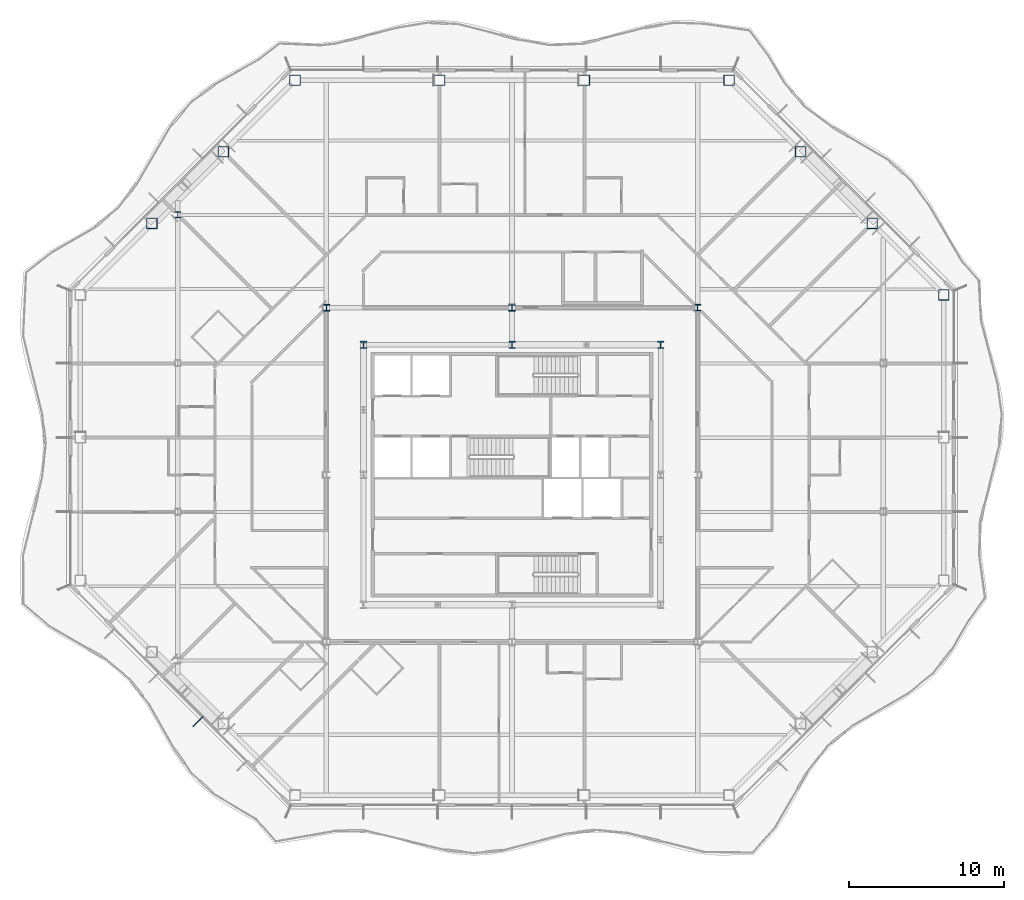
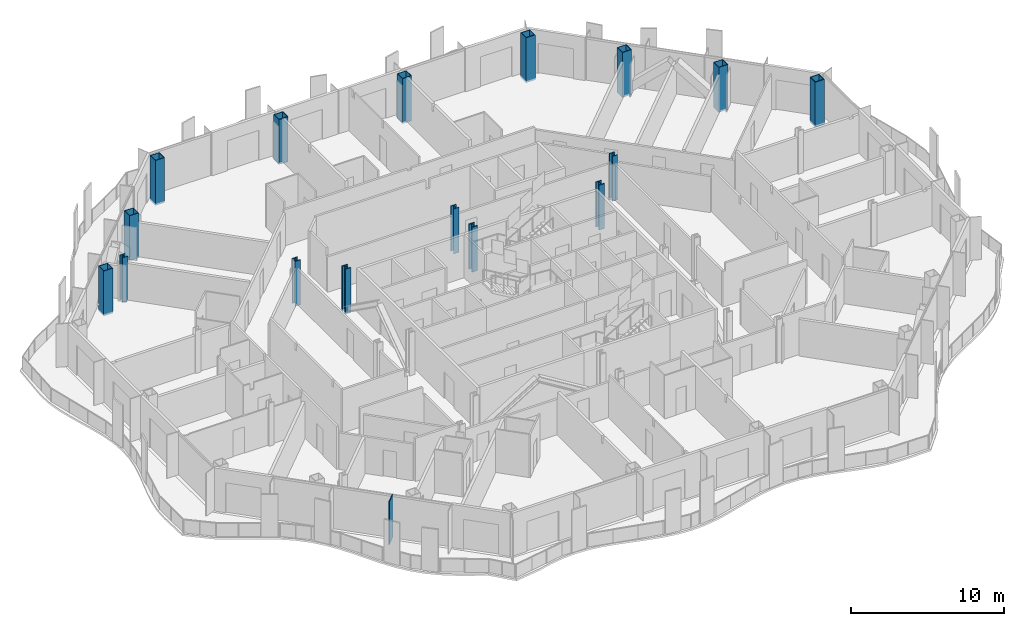
# One storey, part 2 of 22: 16 columns, 1 member, 1 element without a shape of its own.
"""IFC4 building model written with IfcOpenShell, lengths in metres."""

from ifc_helpers import new_model, si_unit, direction, frame, origin, origin_2d, place, context, subcontext, project, spatial, rectangle, hollow_rectangle, i_section, extrude, material, material_profile, profile_set, type_object, element, aggregate, save


model = new_model("IFC4")

# Units and contexts
model_context = context("Model", 3, precision=1e-05, world=origin(), true_north=direction((0.0, 1.0)))
body_context = subcontext(model_context, "Body", "Model", "MODEL_VIEW")
ifc_project = project(units=[si_unit("LENGTHUNIT", "METRE"), si_unit("AREAUNIT", "SQUARE_METRE"), si_unit("VOLUMEUNIT", "CUBIC_METRE"), si_unit("PLANEANGLEUNIT", "RADIAN"), si_unit("MASSUNIT", "GRAM", prefix="KILO")], contexts=[model_context])

# Site, building, storey
site_placement = place(None, origin())
site = spatial("IfcSite", under=ifc_project, at=site_placement, CompositionType="ELEMENT")
building_placement = place(site_placement, origin())
building = spatial("IfcBuilding", under=site, at=building_placement, Name="Cairn Pilgrim Tower", CompositionType="ELEMENT")
storey_placement = place(building_placement, frame((0.0, 0.0, 147.0)))
storey = spatial("IfcBuildingStorey", under=building, at=storey_placement, Name="L36", CompositionType="ELEMENT", Elevation=147.0)

# Columns
ifc_material_1 = material(Name="Structural steel S460M", Category="steel")
ifc_material_profile_1 = material_profile(ifc_material_1, hollow_rectangle(XDim=0.699951171875, YDim=0.699951171875, WallThickness=0.0400390625, at=origin_2d()), Name="BOX 700x700x40")
ifc_profile_set_1 = profile_set([ifc_material_profile_1], Name="Structural steel S460M")
column_type_1 = type_object("IfcColumnType", Name="BOX 700x700x40", PredefinedType="COLUMN", material=ifc_profile_set_1)
for number, where, z_axis, x_axis, name in (
    (1, (35.10009765625, 14.027099609375, -0.14990234375), (0.0, 0.0, 1.0), (1.0, 0.0, 0.0), "PC2-NE1"),
    (2, (30.4755859375, 18.651611328125, -0.14990234375), (0.0, 0.0, 1.0), (1.0, 0.0, 0.0), "PC2-NE2"),
    (3, (25.8515625, 23.275634765625, -0.14990234375), (0.0, 0.0, 1.0), (1.0, 0.0, 0.0), "PC2-NE3"),
    (4, (21.227294921875, 27.89990234375, -0.14990234375), (0.0, 0.0, 1.0), (1.0, 0.0, 0.0), "PC2-N1"),
    (5, (11.875732421875, 27.89990234375, -0.14990234375), (0.0, 0.0, 1.0), (1.0, 0.0, 0.0), "PC2-N2"),
    (6, (2.5244140625, 27.89990234375, -0.14990234375), (0.0, 0.0, 1.0), (1.0, 0.0, 0.0), "PC2-N3"),
    (7, (-6.8271484375, 27.89990234375, -0.14990234375), (0.0, 0.0, 1.0), (1.0, 0.0, 0.0), "PC2-NW1"),
    (8, (-11.451416015625, 23.275634765625, -0.14990234375), (0.0, 0.0, 1.0), (1.0, 0.0, 0.0), "PC2-NW2"),
    (9, (-16.07568359375, 18.651611328125, -0.14990234375), (0.0, 0.0, 1.0), (1.0, 0.0, 0.0), "PC2-NW3"),
):
    element("IfcColumn", number, at=place(storey_placement, frame(where, z_axis=z_axis, x_axis=x_axis)), inside=storey, type_object=column_type_1, Name=name, PredefinedType="COLUMN", context=body_context, shape_type="SweptSolid", body=[
        extrude(hollow_rectangle(XDim=0.699951171875, YDim=0.699951171875, WallThickness=0.0400390625, at=origin_2d()), origin(), (0.0, 0.0, 1.0), 3.599853515625),
    ])
ifc_material_2 = material(Name="Structural steel S355J2", Category="steel")
ifc_material_profile_2 = material_profile(ifc_material_2, i_section(OverallWidth=0.39892578125, OverallDepth=0.39306640625, WebThickness=0.022705078125, FlangeThickness=0.03662109375, FilletRadius=0.014892578125, at=origin_2d()), Name="HD 400x287")
ifc_profile_set_2 = profile_set([ifc_material_profile_2], Name="Structural steel S355J2")
column_type_2 = type_object("IfcColumnType", Name="HD 400x287", PredefinedType="COLUMN", material=ifc_profile_set_2)
column_placement = place(storey_placement, frame((-14.39990234375, 19.199951171875, -0.14990234375), z_axis=(0.0, 0.0, 1.0), x_axis=(1.0, 0.0, 0.0)))
element("IfcColumn", 10, at=column_placement, inside=storey, type_object=column_type_2, Name="WC-WW+4", PredefinedType="COLUMN", context=body_context, shape_type="SweptSolid", body=[
    extrude(i_section(OverallWidth=0.39892578125, OverallDepth=0.39306640625, WebThickness=0.022705078125, FlangeThickness=0.03662109375, FilletRadius=0.014892578125, at=origin_2d()), origin(), (0.0, 0.0, 1.0), 3.599853515625),
])
ifc_material_profile_3 = material_profile(ifc_material_1, i_section(OverallWidth=0.408935546875, OverallDepth=0.425048828125, WebThickness=0.03271484375, FlangeThickness=0.052490234375, FilletRadius=0.014892578125, at=origin_2d()), Name="HD 400x421")
ifc_profile_set_3 = profile_set([ifc_material_profile_3], Name="Structural steel S460M")
column_type_3 = type_object("IfcColumnType", Name="HD 400x421", PredefinedType="COLUMN", material=ifc_profile_set_3)
for number, where, z_axis, x_axis, name in (
    (11, (-4.800048828125, 13.199951171875, -0.14990234375), (0.0, 0.0, 1.0), (1.0, 0.0, 0.0), "IC-6"),
    (12, (7.199951171875, 13.199951171875, -0.14990234375), (0.0, 0.0, 1.0), (1.0, 0.0, 0.0), "IC-7"),
    (13, (19.199951171875, 13.199951171875, -0.14990234375), (0.0, 0.0, 1.0), (1.0, 0.0, 0.0), "IC-8"),
):
    element("IfcColumn", number, at=place(storey_placement, frame(where, z_axis=z_axis, x_axis=x_axis)), inside=storey, type_object=column_type_3, Name=name, PredefinedType="COLUMN", context=body_context, shape_type="SweptSolid", body=[
        extrude(i_section(OverallWidth=0.408935546875, OverallDepth=0.425048828125, WebThickness=0.03271484375, FlangeThickness=0.052490234375, FilletRadius=0.014892578125, at=origin_2d()), origin(), (0.0, 0.0, 1.0), 3.599853515625),
    ])
ifc_material_profile_4 = material_profile(ifc_material_1, i_section(OverallWidth=0.424072265625, OverallDepth=0.47412109375, WebThickness=0.047607421875, FlangeThickness=0.0771484375, FilletRadius=0.014892578125, at=origin_2d()), Name="HD 400x634")
ifc_profile_set_4 = profile_set([ifc_material_profile_4], Name="Structural steel S460M")
column_type_4 = type_object("IfcColumnType", Name="HD 400x634", PredefinedType="COLUMN", material=ifc_profile_set_4)
for number, where, z_axis, x_axis, name in (
    (14, (-2.39990234375, 10.800048828125, -0.14990234375), (0.0, 0.0, 1.0), (1.0, 0.0, 0.0), "KC-6"),
    (15, (7.199951171875, 10.800048828125, -0.14990234375), (0.0, 0.0, 1.0), (1.0, 0.0, 0.0), "KC-7"),
    (16, (16.800048828125, 10.800048828125, -0.14990234375), (0.0, 0.0, 1.0), (1.0, 0.0, 0.0), "KC-8"),
):
    element("IfcColumn", number, at=place(storey_placement, frame(where, z_axis=z_axis, x_axis=x_axis)), inside=storey, type_object=column_type_4, Name=name, PredefinedType="COLUMN", context=body_context, shape_type="SweptSolid", body=[
        extrude(i_section(OverallWidth=0.424072265625, OverallDepth=0.47412109375, WebThickness=0.047607421875, FlangeThickness=0.0771484375, FilletRadius=0.014892578125, at=origin_2d()), origin(), (0.0, 0.0, 1.0), 3.599853515625),
    ])

# Curtain wall, member
ifc_material_3 = material(Name="Aluminium alloy 6063-T6 bronze anodised with Bronze tinted laminated low-E glass 8+16+8.8", Category="aluminium")
curtain_wall_type = type_object("IfcCurtainWallType", Name="CHAMFER CORNER CURTAIN WALL", PredefinedType="NOTDEFINED", material=ifc_material_3)
curtain_wall_placement = place(storey_placement, origin())
curtain_wall = element("IfcCurtainWall", 17, at=curtain_wall_placement, inside=storey, type_object=curtain_wall_type, Name="Chamfer Corner Curtain Wall SW", PredefinedType="NOTDEFINED")
ifc_material_4 = material(Name="Aluminium alloy 6063-T6 bronze anodised", Category="aluminium")
ifc_material_profile_5 = material_profile(ifc_material_4, rectangle(XDim=0.89990234375, YDim=0.06005859375, at=origin_2d()), Name="FIN MULLION 60x900 BRONZE")
ifc_profile_set_5 = profile_set([ifc_material_profile_5], Name="Aluminium alloy 6063-T6 bronze anodised")
member_type = type_object("IfcMemberType", Name="FIN MULLION 60x900 BRONZE", PredefinedType="MULLION", material=ifc_profile_set_5)
member_placement = place(storey_placement, frame((-13.094970703125, -13.545654296875, 0.0), z_axis=(0.0, 0.0, 1.0), x_axis=(-0.707106781187, -0.707106781187, 0.0)))
member = element("IfcMember", 18, at=member_placement, type_object=member_type, Name="Fin mullion SW4", PredefinedType="MULLION", context=body_context, shape_type="SweptSolid", body=[
    extrude(rectangle(XDim=0.89990234375, YDim=0.06005859375, at=origin_2d()), origin(), (0.0, 0.0, 1.0), 3.449951171875),
])
aggregate(curtain_wall, [member])

save(model, "model.ifc")
